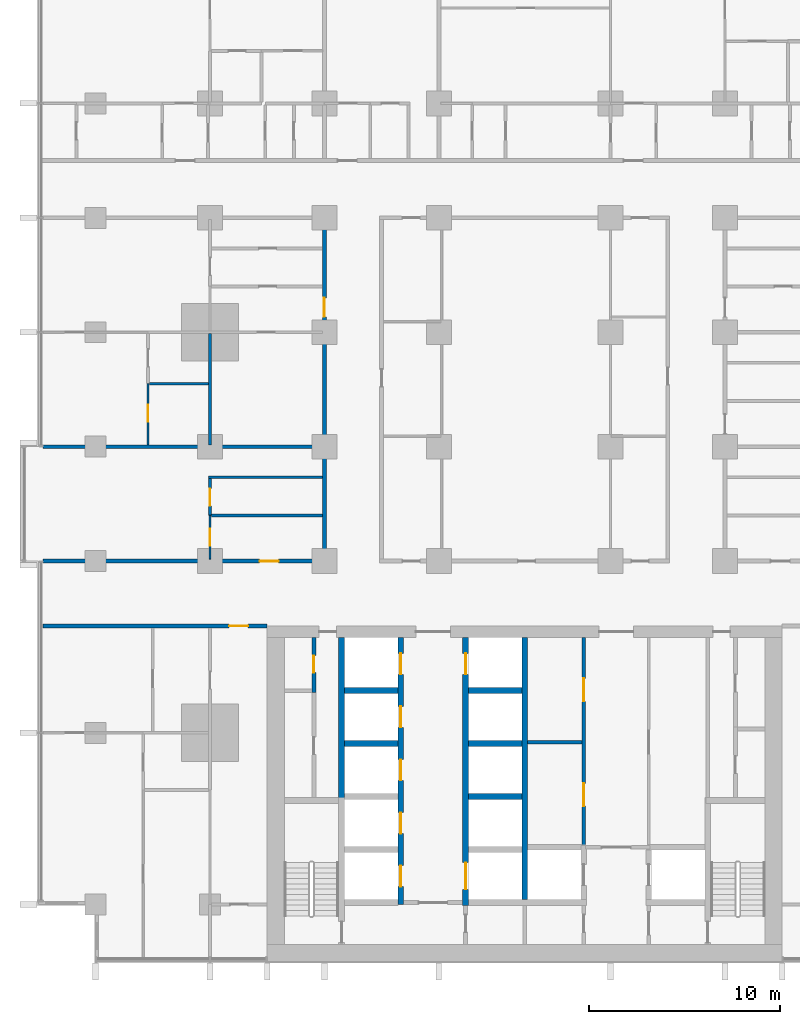
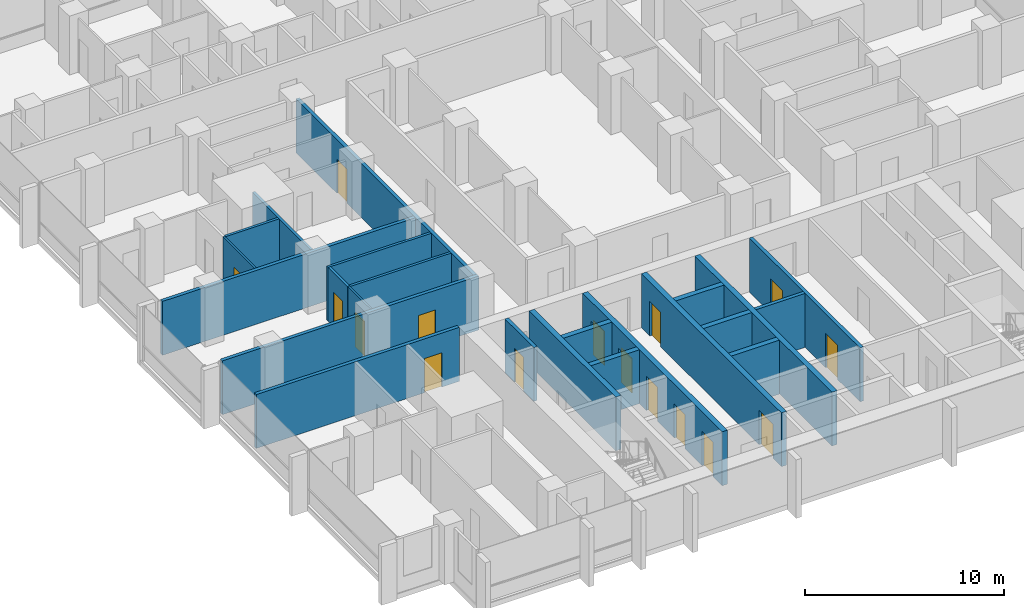
# One storey, part 8 of 18: 23 walls, 16 doors, 16 openings.
"""IFC4 building model written with IfcOpenShell, lengths in metres."""

from ifc_helpers import new_model, si_unit, direction, frame, frame_2d, origin, place, context, subcontext, project, spatial, rectangle, extrude, material, layer, layer_set, type_object, element, fill, save


model = new_model("IFC4")

# Units and contexts
model_context = context("Model", 3, precision=1e-05, world=origin(), true_north=direction((0.0, 1.0)))
body_context = subcontext(model_context, "Body", "Model", "MODEL_VIEW")
ifc_project = project(units=[si_unit("LENGTHUNIT", "METRE"), si_unit("AREAUNIT", "SQUARE_METRE"), si_unit("VOLUMEUNIT", "CUBIC_METRE"), si_unit("PLANEANGLEUNIT", "RADIAN"), si_unit("MASSUNIT", "GRAM", prefix="KILO")], contexts=[model_context])

# Site, building, storey
site_placement = place(None, origin())
site = spatial("IfcSite", under=ifc_project, at=site_placement, CompositionType="ELEMENT")
building_placement = place(site_placement, origin())
building = spatial("IfcBuilding", under=site, at=building_placement, Name="Finial Court Residences", CompositionType="ELEMENT")
storey_placement = place(building_placement, frame((0.0, 0.0, 46.89990234375)))
storey = spatial("IfcBuildingStorey", under=building, at=storey_placement, Name="L10", CompositionType="ELEMENT", Elevation=46.89990234375)

# Wall
ifc_material_1 = material(Name="Gypsum board")
ifc_layer_1 = layer(ifc_material_1, 0.02490234375)
ifc_material_2 = material(Name="Acoustic mineral wool in double frame")
ifc_layer_2 = layer(ifc_material_2, 0.14990234375)
ifc_layer_3 = layer(ifc_material_1, 0.02490234375)
ifc_layer_set_1 = layer_set([ifc_layer_1, ifc_layer_2, ifc_layer_3], Name="Acoustic party wall 200, 1 hour")
wall_type_1 = type_object("IfcWallType", Name="Acoustic party wall 200, 1 hour", PredefinedType="PARTITIONING", material=ifc_layer_set_1)
wall_1_placement = place(storey_placement, frame((-25.25, 1.5, 0.0), z_axis=(0.0, 0.0, 1.0), x_axis=(1.0, 0.0, 0.0)))
element("IfcWall", 1, at=wall_1_placement, inside=storey, type_object=wall_type_1, Name="Partition L10-016", PredefinedType="PARTITIONING", context=body_context, shape_type="SweptSolid", body=[
    extrude(rectangle(XDim=14.64990234375, YDim=0.199951171875, at=frame_2d((7.324951171875, 0.0))), origin(), (0.0, 0.0, 1.0), 3.300048828125),
])

# Wall, opening, door
ifc_layer_4 = layer(ifc_material_1, 0.02490234375)
ifc_layer_5 = layer(ifc_material_2, 0.14990234375)
ifc_layer_6 = layer(ifc_material_1, 0.02490234375)
ifc_layer_set_2 = layer_set([ifc_layer_4, ifc_layer_5, ifc_layer_6], Name="Corridor wall 200, 1 hour")
wall_type_2 = type_object("IfcWallType", Name="Corridor wall 200, 1 hour", PredefinedType="PARTITIONING", material=ifc_layer_set_2)
wall_2_placement = place(storey_placement, frame((-25.25, -7.89990234375, 0.0), z_axis=(0.0, 0.0, 1.0), x_axis=(1.0, 0.0, 0.0)))
wall_2 = element("IfcWall", 2, at=wall_2_placement, inside=storey, type_object=wall_type_2, Name="Partition L10-007", PredefinedType="PARTITIONING", context=body_context, shape_type="SweptSolid", body=[
    extrude(rectangle(XDim=11.75, YDim=0.199951171875, at=frame_2d((5.875, 0.0))), origin(), (0.0, 0.0, 1.0), 3.300048828125),
])
opening_1_placement = place(wall_2_placement, frame((9.75, 0.0, 0.0)))
opening_1 = element("IfcOpeningElement", 3, at=opening_1_placement, cuts=wall_2, Name="Opening L10-D005", PredefinedType="OPENING", context=body_context, shape_type="SweptSolid", body=[
    extrude(rectangle(XDim=1.0, YDim=2.10009765625, at=frame_2d((0.5, 1.050048828125))), frame((0.0, 0.10986328125, 0.0), z_axis=(0.0, -1.0, 0.0), x_axis=(1.0, 0.0, 0.0)), (0.0, 0.0, 1.0), 0.219970703125),
])
ifc_material_3 = material(Name="Timber door leaf in hollow metal frame", Category="wood")
door_type_1 = type_object("IfcDoorType", Name="Fire door set 1000 x 2100, 30 minutes", OperationType="SINGLE_SWING_LEFT", PredefinedType="DOOR", material=ifc_material_3)
door_1_placement = place(opening_1_placement, origin())
door_1 = element("IfcDoor", 4, at=door_1_placement, inside=storey, type_object=door_type_1, Name="Door L10-D005", OperationType="SINGLE_SWING_RIGHT", OverallHeight=2.10009765625, OverallWidth=1.0, PredefinedType="DOOR", context=body_context, shape_type="SweptSolid", body=[
    extrude(rectangle(XDim=1.0, YDim=2.10009765625, at=frame_2d((0.5, 1.050048828125))), frame((0.0, 0.02490234375, 0.0), z_axis=(0.0, -1.0, 0.0), x_axis=(1.0, 0.0, 0.0)), (0.0, 0.0, 1.0), 0.050048828125),
])
fill(opening_1, door_1)

wall_3_placement = place(storey_placement, frame((-25.25, -4.5, 0.0), z_axis=(0.0, 0.0, 1.0), x_axis=(1.0, 0.0, 0.0)))
wall_3 = element("IfcWall", 5, at=wall_3_placement, inside=storey, type_object=wall_type_2, Name="Partition L10-009", PredefinedType="PARTITIONING", context=body_context, shape_type="SweptSolid", body=[
    extrude(rectangle(XDim=14.85009765625, YDim=0.199951171875, at=frame_2d((7.425048828125, 0.0))), origin(), (0.0, 0.0, 1.0), 3.300048828125),
])
opening_2_placement = place(wall_3_placement, frame((11.35009765625, 0.0, 0.0)))
opening_2 = element("IfcOpeningElement", 6, at=opening_2_placement, cuts=wall_3, Name="Opening L10-D007", PredefinedType="OPENING", context=body_context, shape_type="SweptSolid", body=[
    extrude(rectangle(XDim=1.0, YDim=2.10009765625, at=frame_2d((0.5, 1.050048828125))), frame((0.0, 0.10986328125, 0.0), z_axis=(0.0, -1.0, 0.0), x_axis=(1.0, 0.0, 0.0)), (0.0, 0.0, 1.0), 0.219970703125),
])
door_2_placement = place(opening_2_placement, origin())
door_2 = element("IfcDoor", 7, at=door_2_placement, inside=storey, type_object=door_type_1, Name="Door L10-D007", OperationType="SINGLE_SWING_LEFT", OverallHeight=2.10009765625, OverallWidth=1.0, PredefinedType="DOOR", context=body_context, shape_type="SweptSolid", body=[
    extrude(rectangle(XDim=1.0, YDim=2.10009765625, at=frame_2d((0.5, 1.050048828125))), frame((0.0, 0.02490234375, 0.0), z_axis=(0.0, -1.0, 0.0), x_axis=(1.0, 0.0, 0.0)), (0.0, 0.0, 1.0), 0.050048828125),
])
fill(opening_2, door_2)

wall_4_placement = place(storey_placement, frame((-10.5, -4.39990234375, 0.0), z_axis=(0.0, 0.0, 1.0), x_axis=(0.0, 1.0, 0.0)))
wall_4 = element("IfcWall", 8, at=wall_4_placement, inside=storey, type_object=wall_type_2, Name="Partition L10-076", PredefinedType="PARTITIONING", context=body_context, shape_type="SweptSolid", body=[
    extrude(rectangle(XDim=17.7998046875, YDim=0.199951171875, at=frame_2d((8.89990234375, 0.0))), origin(), (0.0, 0.0, 1.0), 3.300048828125),
])
opening_3_placement = place(wall_4_placement, frame((12.699951171875, 0.0, 0.0)))
opening_3 = element("IfcOpeningElement", 9, at=opening_3_placement, cuts=wall_4, Name="Opening L10-D049", PredefinedType="OPENING", context=body_context, shape_type="SweptSolid", body=[
    extrude(rectangle(XDim=1.0, YDim=2.10009765625, at=frame_2d((0.5, 1.050048828125))), frame((0.0, 0.10986328125, 0.0), z_axis=(0.0, -1.0, 0.0), x_axis=(1.0, 0.0, 0.0)), (0.0, 0.0, 1.0), 0.219970703125),
])
door_3_placement = place(opening_3_placement, origin())
door_3 = element("IfcDoor", 10, at=door_3_placement, inside=storey, type_object=door_type_1, Name="Door L10-D049", OperationType="SINGLE_SWING_LEFT", OverallHeight=2.10009765625, OverallWidth=1.0, PredefinedType="DOOR", context=body_context, shape_type="SweptSolid", body=[
    extrude(rectangle(XDim=1.0, YDim=2.10009765625, at=frame_2d((0.5, 1.050048828125))), frame((0.0, 0.02490234375, 0.0), z_axis=(0.0, -1.0, 0.0), x_axis=(1.0, 0.0, 0.0)), (0.0, 0.0, 1.0), 0.050048828125),
])
fill(opening_3, door_3)

ifc_layer_7 = layer(ifc_material_1, 0.012451171875)
ifc_material_4 = material(Name="Mineral wool in light-gauge frame")
ifc_layer_8 = layer(ifc_material_4, 0.074951171875)
ifc_layer_9 = layer(ifc_material_1, 0.012451171875)
ifc_layer_set_3 = layer_set([ifc_layer_7, ifc_layer_8, ifc_layer_9], Name="Gypsum board partition 100")
wall_type_3 = type_object("IfcWallType", Name="Gypsum board partition 100", PredefinedType="PARTITIONING", material=ifc_layer_set_3)
wall_5_placement = place(storey_placement, frame((-19.75, 1.60009765625, 0.0), z_axis=(0.0, 0.0, 1.0), x_axis=(0.0, 1.0, 0.0)))
wall_5 = element("IfcWall", 11, at=wall_5_placement, inside=storey, type_object=wall_type_3, Name="Partition L10-058", PredefinedType="PARTITIONING", context=body_context, shape_type="SweptSolid", body=[
    extrude(rectangle(XDim=3.199951171875, YDim=0.10009765625, at=frame_2d((1.60009765625, 0.0))), origin(), (0.0, 0.0, 1.0), 3.300048828125),
])
opening_4_placement = place(wall_5_placement, frame((1.199951171875, 0.0, 0.0)))
opening_4 = element("IfcOpeningElement", 12, at=opening_4_placement, cuts=wall_5, Name="Opening L10-D037", PredefinedType="OPENING", context=body_context, shape_type="SweptSolid", body=[
    extrude(rectangle(XDim=0.89990234375, YDim=2.10009765625, at=frame_2d((0.449951171875, 1.050048828125))), frame((0.0, 0.06005859375, 0.0), z_axis=(0.0, -1.0, 0.0), x_axis=(1.0, 0.0, 0.0)), (0.0, 0.0, 1.0), 0.1201171875),
])
ifc_material_5 = material(Name="Timber door leaf in timber frame", Category="wood")
door_type_2 = type_object("IfcDoorType", Name="Door set 900 x 2100", OperationType="SINGLE_SWING_LEFT", PredefinedType="DOOR", material=ifc_material_5)
door_4_placement = place(opening_4_placement, origin())
door_4 = element("IfcDoor", 13, at=door_4_placement, inside=storey, type_object=door_type_2, Name="Door L10-D037", OperationType="SINGLE_SWING_LEFT", OverallHeight=2.10009765625, OverallWidth=0.89990234375, PredefinedType="DOOR", context=body_context, shape_type="SweptSolid", body=[
    extrude(rectangle(XDim=0.89990234375, YDim=2.10009765625, at=frame_2d((0.449951171875, 1.050048828125))), frame((0.0, 0.02490234375, 0.0), z_axis=(0.0, -1.0, 0.0), x_axis=(1.0, 0.0, 0.0)), (0.0, 0.0, 1.0), 0.050048828125),
])
fill(opening_4, door_4)

wall_6_placement = place(storey_placement, frame((-16.5, -4.39990234375, 0.0), z_axis=(0.0, 0.0, 1.0), x_axis=(0.0, 1.0, 0.0)))
wall_6 = element("IfcWall", 14, at=wall_6_placement, inside=storey, type_object=wall_type_3, Name="Partition L10-064", PredefinedType="PARTITIONING", context=body_context, shape_type="SweptSolid", body=[
    extrude(rectangle(XDim=2.2998046875, YDim=0.10009765625, at=frame_2d((1.14990234375, 0.0))), origin(), (0.0, 0.0, 1.0), 3.300048828125),
])
opening_5_placement = place(wall_6_placement, frame((0.699951171875, 0.0, 0.0)))
opening_5 = element("IfcOpeningElement", 15, at=opening_5_placement, cuts=wall_6, Name="Opening L10-D042", PredefinedType="OPENING", context=body_context, shape_type="SweptSolid", body=[
    extrude(rectangle(XDim=0.89990234375, YDim=2.10009765625, at=frame_2d((0.449951171875, 1.050048828125))), frame((0.0, 0.06005859375, 0.0), z_axis=(0.0, -1.0, 0.0), x_axis=(1.0, 0.0, 0.0)), (0.0, 0.0, 1.0), 0.1201171875),
])
door_5_placement = place(opening_5_placement, origin())
door_5 = element("IfcDoor", 16, at=door_5_placement, inside=storey, type_object=door_type_2, Name="Door L10-D042", OperationType="SINGLE_SWING_LEFT", OverallHeight=2.10009765625, OverallWidth=0.89990234375, PredefinedType="DOOR", context=body_context, shape_type="SweptSolid", body=[
    extrude(rectangle(XDim=0.89990234375, YDim=2.10009765625, at=frame_2d((0.449951171875, 1.050048828125))), frame((0.0, 0.02490234375, 0.0), z_axis=(0.0, -1.0, 0.0), x_axis=(1.0, 0.0, 0.0)), (0.0, 0.0, 1.0), 0.050048828125),
])
fill(opening_5, door_5)

# Walls
ifc_material_6 = material(Name="Moisture-resistant gypsum board")
ifc_layer_10 = layer(ifc_material_6, 0.012451171875)
ifc_layer_11 = layer(ifc_material_4, 0.125)
ifc_layer_12 = layer(ifc_material_6, 0.012451171875)
ifc_layer_set_4 = layer_set([ifc_layer_10, ifc_layer_11, ifc_layer_12], Name="Gypsum board wet-area partition 150")
wall_type_4 = type_object("IfcWallType", Name="Gypsum board wet-area partition 150", PredefinedType="PARTITIONING", material=ifc_layer_set_4)
wall_7_placement = place(storey_placement, frame((-16.425048828125, -2.10009765625, 0.0), z_axis=(0.0, 0.0, 1.0), x_axis=(1.0, 0.0, 0.0)))
element("IfcWall", 17, at=wall_7_placement, inside=storey, type_object=wall_type_4, Name="Partition L10-012", PredefinedType="PARTITIONING", context=body_context, shape_type="SweptSolid", body=[
    extrude(rectangle(XDim=5.824951171875, YDim=0.14990234375, at=frame_2d((2.91259765625, 0.0))), origin(), (0.0, 0.0, 1.0), 3.300048828125),
])
wall_8_placement = place(storey_placement, frame((-16.574951171875, -0.10009765625, 0.0), z_axis=(0.0, 0.0, 1.0), x_axis=(1.0, 0.0, 0.0)))
element("IfcWall", 18, at=wall_8_placement, inside=storey, type_object=wall_type_4, Name="Partition L10-014", PredefinedType="PARTITIONING", context=body_context, shape_type="SweptSolid", body=[
    extrude(rectangle(XDim=5.974853515625, YDim=0.14990234375, at=frame_2d((2.9873046875, 0.0))), origin(), (0.0, 0.0, 1.0), 3.300048828125),
])
wall_9_placement = place(storey_placement, frame((-19.675048828125, 4.800048828125, 0.0), z_axis=(0.0, 0.0, 1.0), x_axis=(1.0, 0.0, 0.0)))
element("IfcWall", 19, at=wall_9_placement, inside=storey, type_object=wall_type_4, Name="Partition L10-021", PredefinedType="PARTITIONING", context=body_context, shape_type="SweptSolid", body=[
    extrude(rectangle(XDim=3.10009765625, YDim=0.14990234375, at=frame_2d((1.550048828125, 0.0))), origin(), (0.0, 0.0, 1.0), 3.300048828125),
])

# Wall, opening, door
wall_10_placement = place(storey_placement, frame((-16.5, -2.10009765625, 0.0), z_axis=(0.0, 0.0, 1.0), x_axis=(0.0, 1.0, 0.0)))
wall_10 = element("IfcWall", 20, at=wall_10_placement, inside=storey, type_object=wall_type_4, Name="Partition L10-069", PredefinedType="PARTITIONING", context=body_context, shape_type="SweptSolid", body=[
    extrude(rectangle(XDim=1.925048828125, YDim=0.14990234375, at=frame_2d((0.96240234375, 0.0))), origin(), (0.0, 0.0, 1.0), 3.300048828125),
])
opening_6_placement = place(wall_10_placement, frame((0.5, 0.0, 0.0)))
opening_6 = element("IfcOpeningElement", 21, at=opening_6_placement, cuts=wall_10, Name="Opening L10-D045", PredefinedType="OPENING", context=body_context, shape_type="SweptSolid", body=[
    extrude(rectangle(XDim=0.89990234375, YDim=2.10009765625, at=frame_2d((0.449951171875, 1.050048828125))), frame((0.0, 0.0849609375, 0.0), z_axis=(0.0, -1.0, 0.0), x_axis=(1.0, 0.0, 0.0)), (0.0, 0.0, 1.0), 0.169921875),
])
door_6_placement = place(opening_6_placement, origin())
door_6 = element("IfcDoor", 22, at=door_6_placement, inside=storey, type_object=door_type_2, Name="Door L10-D045", OperationType="SINGLE_SWING_RIGHT", OverallHeight=2.10009765625, OverallWidth=0.89990234375, PredefinedType="DOOR", context=body_context, shape_type="SweptSolid", body=[
    extrude(rectangle(XDim=0.89990234375, YDim=2.10009765625, at=frame_2d((0.449951171875, 1.050048828125))), frame((0.0, 0.02490234375, 0.0), z_axis=(0.0, -1.0, 0.0), x_axis=(1.0, 0.0, 0.0)), (0.0, 0.0, 1.0), 0.050048828125),
])
fill(opening_6, door_6)

# Walls
wall_11_placement = place(storey_placement, frame((-16.5, 1.60009765625, 0.0), z_axis=(0.0, 0.0, 1.0), x_axis=(0.0, 1.0, 0.0)))
element("IfcWall", 23, at=wall_11_placement, inside=storey, type_object=wall_type_4, Name="Partition L10-070", PredefinedType="PARTITIONING", context=body_context, shape_type="SweptSolid", body=[
    extrude(rectangle(XDim=5.824951171875, YDim=0.14990234375, at=frame_2d((2.91259765625, 0.0))), origin(), (0.0, 0.0, 1.0), 3.300048828125),
])
ifc_material_7 = material(Name="Concrete C80/95", Category="concrete")
ifc_layer_13 = layer(ifc_material_7, 0.300048828125)
ifc_layer_set_5 = layer_set([ifc_layer_13], Name="Lift shaft and stair wall 300 Concrete C80/95")
wall_type_5 = type_object("IfcWallType", Name="Lift shaft and stair wall 300 Concrete C80/95", PredefinedType="SHEAR", material=ifc_layer_set_5)
for number, where, z_axis, x_axis, name in (
    (24, (-2.949951171875, -16.840087890625, 0.0), (0.0, 0.0, 1.0), (1.0, 0.0, 0.0), "Core wall L10-13"),
    (25, (-9.449951171875, -14.06005859375, 0.0), (0.0, 0.0, 1.0), (1.0, 0.0, 0.0), "Core wall L10-14"),
    (26, (-2.949951171875, -14.06005859375, 0.0), (0.0, 0.0, 1.0), (1.0, 0.0, 0.0), "Core wall L10-15"),
    (27, (-9.449951171875, -11.280029296875, 0.0), (0.0, 0.0, 1.0), (1.0, 0.0, 0.0), "Core wall L10-19"),
    (28, (-2.949951171875, -11.280029296875, 0.0), (0.0, 0.0, 1.0), (1.0, 0.0, 0.0), "Core wall L10-20"),
):
    element("IfcWall", number, at=place(storey_placement, frame(where, z_axis=z_axis, x_axis=x_axis)), inside=storey, type_object=wall_type_5, Name=name, PredefinedType="SHEAR", context=body_context, shape_type="SweptSolid", body=[
        extrude(rectangle(XDim=2.800048828125, YDim=0.300048828125, at=frame_2d((1.39990234375, 0.0))), origin(), (0.0, 0.0, 1.0), 3.300048828125),
    ])
wall_12_placement = place(storey_placement, frame((-9.60009765625, -17.199951171875, 0.0), z_axis=(0.0, 0.0, 1.0), x_axis=(0.0, 1.0, 0.0)))
element("IfcWall", 29, at=wall_12_placement, inside=storey, type_object=wall_type_5, Name="Core wall L10-24", PredefinedType="SHEAR", context=body_context, shape_type="SweptSolid", body=[
    extrude(rectangle(XDim=8.699951171875, YDim=0.300048828125, at=frame_2d((4.35009765625, 0.0))), origin(), (0.0, 0.0, 1.0), 3.300048828125),
])

# Wall, openings, doors
wall_13_placement = place(storey_placement, frame((-6.5, -22.5, 0.0), z_axis=(0.0, 0.0, 1.0), x_axis=(0.0, 1.0, 0.0)))
wall_13 = element("IfcWall", 30, at=wall_13_placement, inside=storey, type_object=wall_type_5, Name="Core wall L10-25", PredefinedType="SHEAR", context=body_context, shape_type="SweptSolid", body=[
    extrude(rectangle(XDim=14.0, YDim=0.300048828125, at=frame_2d((7.0, 0.0))), origin(), (0.0, 0.0, 1.0), 3.300048828125),
])
opening_7_placement = place(wall_13_placement, frame((0.93994140625, 0.0, 0.0)))
opening_7 = element("IfcOpeningElement", 31, at=opening_7_placement, cuts=wall_13, Name="Opening L10-LD03", PredefinedType="OPENING", context=body_context, shape_type="SweptSolid", body=[
    extrude(rectangle(XDim=1.10009765625, YDim=2.10009765625, at=frame_2d((0.550048828125, 1.050048828125))), frame((0.0, 0.159912109375, 0.0), z_axis=(0.0, -1.0, 0.0), x_axis=(1.0, 0.0, 0.0)), (0.0, 0.0, 1.0), 0.320068359375),
])
opening_8_placement = place(wall_13_placement, frame((3.719970703125, 0.0, 0.0)))
opening_8 = element("IfcOpeningElement", 32, at=opening_8_placement, cuts=wall_13, Name="Opening L10-LD04", PredefinedType="OPENING", context=body_context, shape_type="SweptSolid", body=[
    extrude(rectangle(XDim=1.10009765625, YDim=2.10009765625, at=frame_2d((0.550048828125, 1.050048828125))), frame((0.0, 0.159912109375, 0.0), z_axis=(0.0, -1.0, 0.0), x_axis=(1.0, 0.0, 0.0)), (0.0, 0.0, 1.0), 0.320068359375),
])
opening_9_placement = place(wall_13_placement, frame((6.5, 0.0, 0.0)))
opening_9 = element("IfcOpeningElement", 33, at=opening_9_placement, cuts=wall_13, Name="Opening L10-LD05", PredefinedType="OPENING", context=body_context, shape_type="SweptSolid", body=[
    extrude(rectangle(XDim=1.10009765625, YDim=2.10009765625, at=frame_2d((0.550048828125, 1.050048828125))), frame((0.0, 0.159912109375, 0.0), z_axis=(0.0, -1.0, 0.0), x_axis=(1.0, 0.0, 0.0)), (0.0, 0.0, 1.0), 0.320068359375),
])
opening_10_placement = place(wall_13_placement, frame((9.280029296875, 0.0, 0.0)))
opening_10 = element("IfcOpeningElement", 34, at=opening_10_placement, cuts=wall_13, Name="Opening L10-LD06", PredefinedType="OPENING", context=body_context, shape_type="SweptSolid", body=[
    extrude(rectangle(XDim=1.10009765625, YDim=2.10009765625, at=frame_2d((0.550048828125, 1.050048828125))), frame((0.0, 0.159912109375, 0.0), z_axis=(0.0, -1.0, 0.0), x_axis=(1.0, 0.0, 0.0)), (0.0, 0.0, 1.0), 0.320068359375),
])
opening_11_placement = place(wall_13_placement, frame((12.06005859375, 0.0, 0.0)))
opening_11 = element("IfcOpeningElement", 35, at=opening_11_placement, cuts=wall_13, Name="Opening L10-LD07", PredefinedType="OPENING", context=body_context, shape_type="SweptSolid", body=[
    extrude(rectangle(XDim=1.10009765625, YDim=2.10009765625, at=frame_2d((0.550048828125, 1.050048828125))), frame((0.0, 0.159912109375, 0.0), z_axis=(0.0, -1.0, 0.0), x_axis=(1.0, 0.0, 0.0)), (0.0, 0.0, 1.0), 0.320068359375),
])
ifc_material_8 = material(Name="Stainless steel lift door", Category="steel")
door_type_3 = type_object("IfcDoorType", Name="Lift landing door 1100 x 2100 EI 90", OperationType="DOUBLE_DOOR_SLIDING", PredefinedType="DOOR", material=ifc_material_8)
door_7_placement = place(opening_7_placement, origin())
door_7 = element("IfcDoor", 36, at=door_7_placement, inside=storey, type_object=door_type_3, Name="Lift landing door LR1 L10", OperationType="DOUBLE_DOOR_SLIDING", OverallHeight=2.10009765625, OverallWidth=1.10009765625, PredefinedType="DOOR", context=body_context, shape_type="SweptSolid", body=[
    extrude(rectangle(XDim=1.10009765625, YDim=2.10009765625, at=frame_2d((0.550048828125, 1.050048828125))), frame((0.0, 0.02490234375, 0.0), z_axis=(0.0, -1.0, 0.0), x_axis=(1.0, 0.0, 0.0)), (0.0, 0.0, 1.0), 0.050048828125),
])
fill(opening_7, door_7)
door_8_placement = place(opening_8_placement, origin())
door_8 = element("IfcDoor", 37, at=door_8_placement, inside=storey, type_object=door_type_3, Name="Lift landing door LR2 L10", OperationType="DOUBLE_DOOR_SLIDING", OverallHeight=2.10009765625, OverallWidth=1.10009765625, PredefinedType="DOOR", context=body_context, shape_type="SweptSolid", body=[
    extrude(rectangle(XDim=1.10009765625, YDim=2.10009765625, at=frame_2d((0.550048828125, 1.050048828125))), frame((0.0, 0.02490234375, 0.0), z_axis=(0.0, -1.0, 0.0), x_axis=(1.0, 0.0, 0.0)), (0.0, 0.0, 1.0), 0.050048828125),
])
fill(opening_8, door_8)
door_9_placement = place(opening_9_placement, origin())
door_9 = element("IfcDoor", 38, at=door_9_placement, inside=storey, type_object=door_type_3, Name="Lift landing door LR3 L10", OperationType="DOUBLE_DOOR_SLIDING", OverallHeight=2.10009765625, OverallWidth=1.10009765625, PredefinedType="DOOR", context=body_context, shape_type="SweptSolid", body=[
    extrude(rectangle(XDim=1.10009765625, YDim=2.10009765625, at=frame_2d((0.550048828125, 1.050048828125))), frame((0.0, 0.02490234375, 0.0), z_axis=(0.0, -1.0, 0.0), x_axis=(1.0, 0.0, 0.0)), (0.0, 0.0, 1.0), 0.050048828125),
])
fill(opening_9, door_9)
door_10_placement = place(opening_10_placement, origin())
door_10 = element("IfcDoor", 39, at=door_10_placement, inside=storey, type_object=door_type_3, Name="Lift landing door LR4 L10", OperationType="DOUBLE_DOOR_SLIDING", OverallHeight=2.10009765625, OverallWidth=1.10009765625, PredefinedType="DOOR", context=body_context, shape_type="SweptSolid", body=[
    extrude(rectangle(XDim=1.10009765625, YDim=2.10009765625, at=frame_2d((0.550048828125, 1.050048828125))), frame((0.0, 0.02490234375, 0.0), z_axis=(0.0, -1.0, 0.0), x_axis=(1.0, 0.0, 0.0)), (0.0, 0.0, 1.0), 0.050048828125),
])
fill(opening_10, door_10)
door_11_placement = place(opening_11_placement, origin())
door_11 = element("IfcDoor", 40, at=door_11_placement, inside=storey, type_object=door_type_3, Name="Lift landing door LR5 L10", OperationType="DOUBLE_DOOR_SLIDING", OverallHeight=2.10009765625, OverallWidth=1.10009765625, PredefinedType="DOOR", context=body_context, shape_type="SweptSolid", body=[
    extrude(rectangle(XDim=1.10009765625, YDim=2.10009765625, at=frame_2d((0.550048828125, 1.050048828125))), frame((0.0, 0.02490234375, 0.0), z_axis=(0.0, -1.0, 0.0), x_axis=(1.0, 0.0, 0.0)), (0.0, 0.0, 1.0), 0.050048828125),
])
fill(opening_11, door_11)

wall_14_placement = place(storey_placement, frame((-3.10009765625, -22.550048828125, 0.0), z_axis=(0.0, 0.0, 1.0), x_axis=(0.0, 1.0, 0.0)))
wall_14 = element("IfcWall", 41, at=wall_14_placement, inside=storey, type_object=wall_type_5, Name="Core wall L10-27", PredefinedType="SHEAR", context=body_context, shape_type="SweptSolid", body=[
    extrude(rectangle(XDim=14.050048828125, YDim=0.300048828125, at=frame_2d((7.02490234375, 0.0))), origin(), (0.0, 0.0, 1.0), 3.300048828125),
])
opening_12_placement = place(wall_14_placement, frame((12.110107421875, 0.0, 0.0)))
opening_12 = element("IfcOpeningElement", 42, at=opening_12_placement, cuts=wall_14, Name="Opening L10-LD08", PredefinedType="OPENING", context=body_context, shape_type="SweptSolid", body=[
    extrude(rectangle(XDim=1.10009765625, YDim=2.10009765625, at=frame_2d((0.550048828125, 1.050048828125))), frame((0.0, 0.159912109375, 0.0), z_axis=(0.0, -1.0, 0.0), x_axis=(1.0, 0.0, 0.0)), (0.0, 0.0, 1.0), 0.320068359375),
])
opening_13_placement = place(wall_14_placement, frame((0.840087890625, 0.0, 0.0)))
opening_13 = element("IfcOpeningElement", 43, at=opening_13_placement, cuts=wall_14, Name="Opening L10-LD09", PredefinedType="OPENING", context=body_context, shape_type="SweptSolid", body=[
    extrude(rectangle(XDim=1.39990234375, YDim=2.10009765625, at=frame_2d((0.699951171875, 1.050048828125))), frame((0.0, 0.159912109375, 0.0), z_axis=(0.0, -1.0, 0.0), x_axis=(1.0, 0.0, 0.0)), (0.0, 0.0, 1.0), 0.320068359375),
])
door_12_placement = place(opening_12_placement, origin())
door_12 = element("IfcDoor", 44, at=door_12_placement, inside=storey, type_object=door_type_3, Name="Lift landing door LR6 L10", OperationType="DOUBLE_DOOR_SLIDING", OverallHeight=2.10009765625, OverallWidth=1.10009765625, PredefinedType="DOOR", context=body_context, shape_type="SweptSolid", body=[
    extrude(rectangle(XDim=1.10009765625, YDim=2.10009765625, at=frame_2d((0.550048828125, 1.050048828125))), frame((0.0, 0.02490234375, 0.0), z_axis=(0.0, -1.0, 0.0), x_axis=(1.0, 0.0, 0.0)), (0.0, 0.0, 1.0), 0.050048828125),
])
fill(opening_12, door_12)
door_type_4 = type_object("IfcDoorType", Name="Lift landing door 1400 x 2100 EI 90", OperationType="DOUBLE_DOOR_SLIDING", PredefinedType="DOOR", material=ifc_material_8)
door_13_placement = place(opening_13_placement, origin())
door_13 = element("IfcDoor", 45, at=door_13_placement, inside=storey, type_object=door_type_4, Name="Lift landing door SV1 L10", OperationType="DOUBLE_DOOR_SLIDING", OverallHeight=2.10009765625, OverallWidth=1.39990234375, PredefinedType="DOOR", context=body_context, shape_type="SweptSolid", body=[
    extrude(rectangle(XDim=1.39990234375, YDim=2.10009765625, at=frame_2d((0.699951171875, 1.050048828125))), frame((0.0, 0.02490234375, 0.0), z_axis=(0.0, -1.0, 0.0), x_axis=(1.0, 0.0, 0.0)), (0.0, 0.0, 1.0), 0.050048828125),
])
fill(opening_13, door_13)

# Walls
wall_15_placement = place(storey_placement, frame((0.0, -22.25, 0.0), z_axis=(0.0, 0.0, 1.0), x_axis=(0.0, 1.0, 0.0)))
element("IfcWall", 46, at=wall_15_placement, inside=storey, type_object=wall_type_5, Name="Core wall L10-29", PredefinedType="SHEAR", context=body_context, shape_type="SweptSolid", body=[
    extrude(rectangle(XDim=13.75, YDim=0.300048828125, at=frame_2d((6.875, 0.0))), origin(), (0.0, 0.0, 1.0), 3.300048828125),
])
ifc_material_9 = material(Name="Fire-rated gypsum board partition")
ifc_layer_14 = layer(ifc_material_9, 0.199951171875)
ifc_layer_set_6 = layer_set([ifc_layer_14], Name="Riser room wall 200 EI 120")
wall_type_6 = type_object("IfcWallType", Name="Riser room wall 200 EI 120", PredefinedType="PARTITIONING", material=ifc_layer_set_6)
wall_16_placement = place(storey_placement, frame((0.14990234375, -14.0, 0.0), z_axis=(0.0, 0.0, 1.0), x_axis=(1.0, 0.0, 0.0)))
element("IfcWall", 47, at=wall_16_placement, inside=storey, type_object=wall_type_6, Name="Core partition L10-16", PredefinedType="PARTITIONING", context=body_context, shape_type="SweptSolid", body=[
    extrude(rectangle(XDim=2.85009765625, YDim=0.199951171875, at=frame_2d((1.425048828125, 0.0))), origin(), (0.0, 0.0, 1.0), 3.300048828125),
])

# Wall, opening, door
wall_17_placement = place(storey_placement, frame((-11.050048828125, -11.39990234375, 0.0), z_axis=(0.0, 0.0, 1.0), x_axis=(0.0, 1.0, 0.0)))
wall_17 = element("IfcWall", 48, at=wall_17_placement, inside=storey, type_object=wall_type_6, Name="Core partition L10-22", PredefinedType="PARTITIONING", context=body_context, shape_type="SweptSolid", body=[
    extrude(rectangle(XDim=2.89990234375, YDim=0.199951171875, at=frame_2d((1.449951171875, 0.0))), origin(), (0.0, 0.0, 1.0), 3.300048828125),
])
opening_14_placement = place(wall_17_placement, frame((1.050048828125, 0.0, 0.0)))
opening_14 = element("IfcOpeningElement", 49, at=opening_14_placement, cuts=wall_17, Name="Opening L10-C07", PredefinedType="OPENING", context=body_context, shape_type="SweptSolid", body=[
    extrude(rectangle(XDim=0.89990234375, YDim=2.10009765625, at=frame_2d((0.449951171875, 1.050048828125))), frame((0.0, 0.10986328125, 0.0), z_axis=(0.0, -1.0, 0.0), x_axis=(1.0, 0.0, 0.0)), (0.0, 0.0, 1.0), 0.219970703125),
])
ifc_material_10 = material(Name="Steel fire door", Category="steel")
door_type_5 = type_object("IfcDoorType", Name="Riser room door 900 x 2100 EI 90", OperationType="NOTDEFINED", PredefinedType="DOOR", material=ifc_material_10)
door_14_placement = place(opening_14_placement, origin())
door_14 = element("IfcDoor", 50, at=door_14_placement, inside=storey, type_object=door_type_5, Name="Riser room door L10-C07", OperationType="SINGLE_SWING_LEFT", OverallHeight=2.10009765625, OverallWidth=0.89990234375, PredefinedType="DOOR", context=body_context, shape_type="SweptSolid", body=[
    extrude(rectangle(XDim=0.89990234375, YDim=2.10009765625, at=frame_2d((0.449951171875, 1.050048828125))), frame((0.0, 0.02490234375, 0.0), z_axis=(0.0, -1.0, 0.0), x_axis=(1.0, 0.0, 0.0)), (0.0, 0.0, 1.0), 0.050048828125),
])
fill(opening_14, door_14)

# Wall, openings, doors
wall_18_placement = place(storey_placement, frame((3.10009765625, -19.60009765625, 0.0), z_axis=(0.0, 0.0, 1.0), x_axis=(0.0, 1.0, 0.0)))
wall_18 = element("IfcWall", 51, at=wall_18_placement, inside=storey, type_object=wall_type_6, Name="Core partition L10-32", PredefinedType="PARTITIONING", context=body_context, shape_type="SweptSolid", body=[
    extrude(rectangle(XDim=11.10009765625, YDim=0.199951171875, at=frame_2d((5.550048828125, 0.0))), origin(), (0.0, 0.0, 1.0), 3.300048828125),
])
opening_15_placement = place(wall_18_placement, frame((2.25, 0.0, 0.0)))
opening_15 = element("IfcOpeningElement", 52, at=opening_15_placement, cuts=wall_18, Name="Opening L10-C09", PredefinedType="OPENING", context=body_context, shape_type="SweptSolid", body=[
    extrude(rectangle(XDim=1.199951171875, YDim=2.10009765625, at=frame_2d((0.60009765625, 1.050048828125))), frame((0.0, 0.10986328125, 0.0), z_axis=(0.0, -1.0, 0.0), x_axis=(1.0, 0.0, 0.0)), (0.0, 0.0, 1.0), 0.219970703125),
])
opening_16_placement = place(wall_18_placement, frame((7.75, 0.0, 0.0)))
opening_16 = element("IfcOpeningElement", 53, at=opening_16_placement, cuts=wall_18, Name="Opening L10-C10", PredefinedType="OPENING", context=body_context, shape_type="SweptSolid", body=[
    extrude(rectangle(XDim=1.199951171875, YDim=2.10009765625, at=frame_2d((0.60009765625, 1.050048828125))), frame((0.0, 0.10986328125, 0.0), z_axis=(0.0, -1.0, 0.0), x_axis=(1.0, 0.0, 0.0)), (0.0, 0.0, 1.0), 0.219970703125),
])
door_type_6 = type_object("IfcDoorType", Name="Riser room door 1200 x 2100 EI 90", OperationType="NOTDEFINED", PredefinedType="DOOR", material=ifc_material_10)
door_15_placement = place(opening_15_placement, origin())
door_15 = element("IfcDoor", 54, at=door_15_placement, inside=storey, type_object=door_type_6, Name="Riser room door L10-C09", OperationType="SINGLE_SWING_LEFT", OverallHeight=2.10009765625, OverallWidth=1.199951171875, PredefinedType="DOOR", context=body_context, shape_type="SweptSolid", body=[
    extrude(rectangle(XDim=1.199951171875, YDim=2.10009765625, at=frame_2d((0.60009765625, 1.050048828125))), frame((0.0, 0.02490234375, 0.0), z_axis=(0.0, -1.0, 0.0), x_axis=(1.0, 0.0, 0.0)), (0.0, 0.0, 1.0), 0.050048828125),
])
fill(opening_15, door_15)
door_16_placement = place(opening_16_placement, origin())
door_16 = element("IfcDoor", 55, at=door_16_placement, inside=storey, type_object=door_type_6, Name="Riser room door L10-C10", OperationType="SINGLE_SWING_LEFT", OverallHeight=2.10009765625, OverallWidth=1.199951171875, PredefinedType="DOOR", context=body_context, shape_type="SweptSolid", body=[
    extrude(rectangle(XDim=1.199951171875, YDim=2.10009765625, at=frame_2d((0.60009765625, 1.050048828125))), frame((0.0, 0.02490234375, 0.0), z_axis=(0.0, -1.0, 0.0), x_axis=(1.0, 0.0, 0.0)), (0.0, 0.0, 1.0), 0.050048828125),
])
fill(opening_16, door_16)

save(model, "model.ifc")
